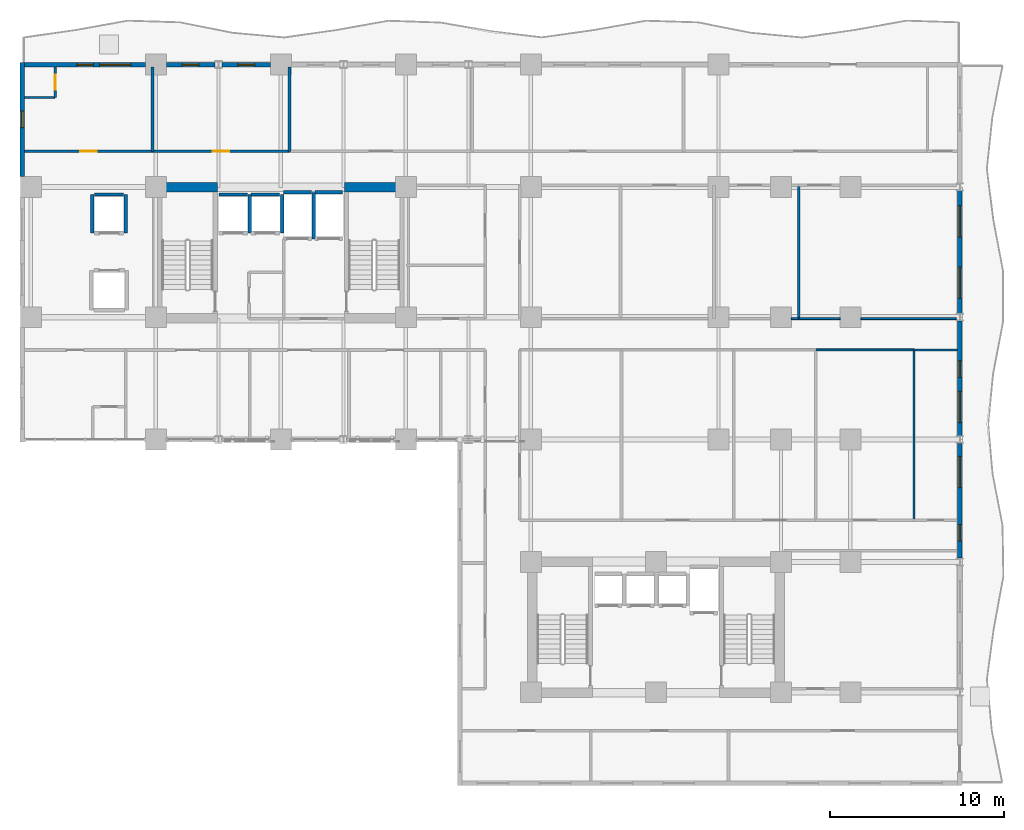
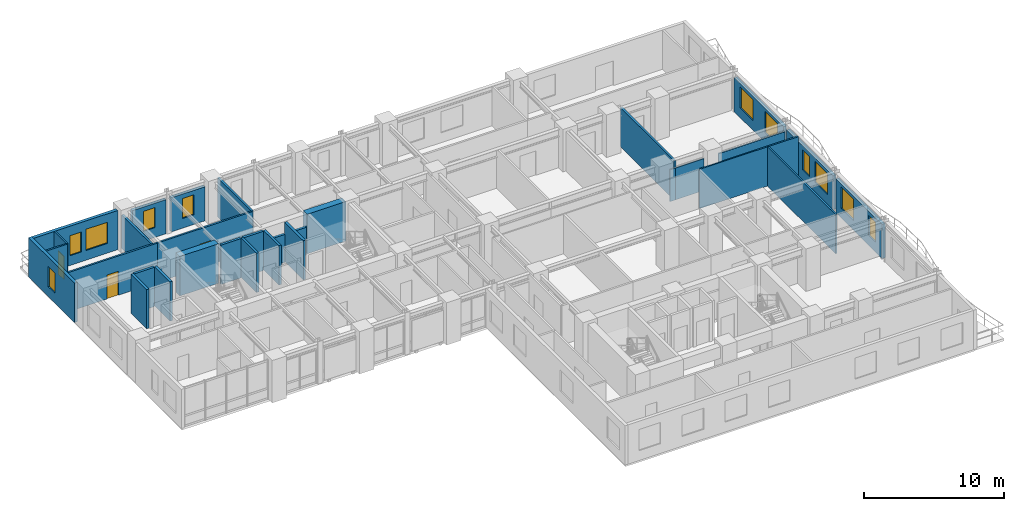
# One storey, part 11 of 16: 32 walls, 11 windows, 3 doors, 14 openings.
"""IFC4 building model written with IfcOpenShell, lengths in metres."""

from ifc_helpers import new_model, si_unit, direction, frame, frame_2d, origin, place, context, subcontext, project, spatial, rectangle, extrude, material, layer, layer_set, type_object, element, fill, save


model = new_model("IFC4")

# Units and contexts
model_context = context("Model", 3, precision=1e-05, world=origin(), true_north=direction((0.0, 1.0)))
body_context = subcontext(model_context, "Body", "Model", "MODEL_VIEW")
ifc_project = project(units=[si_unit("LENGTHUNIT", "METRE"), si_unit("AREAUNIT", "SQUARE_METRE"), si_unit("VOLUMEUNIT", "CUBIC_METRE"), si_unit("PLANEANGLEUNIT", "RADIAN"), si_unit("MASSUNIT", "GRAM", prefix="KILO")], contexts=[model_context])

# Site, building, storey
site_placement = place(None, origin())
site = spatial("IfcSite", under=ifc_project, at=site_placement, CompositionType="ELEMENT")
building_placement = place(site_placement, origin())
building = spatial("IfcBuilding", under=site, at=building_placement, Name="Kaliganga Portal Commons", CompositionType="ELEMENT")
storey_placement = place(building_placement, frame((0.0, 0.0, 97.10009765625)))
storey = spatial("IfcBuildingStorey", under=building, at=storey_placement, Name="L24", CompositionType="ELEMENT", Elevation=97.10009765625)

# Walls
ifc_material_1 = material(Name="Concrete C60/75", Category="concrete")
ifc_layer_1 = layer(ifc_material_1, 0.550048828125)
ifc_layer_set_1 = layer_set([ifc_layer_1], Name="Concrete C60/75")
wall_type_1 = type_object("IfcWallType", Name="WL-CORE-550", PredefinedType="SHEAR", material=ifc_layer_set_1)
for number, where, z_axis, x_axis, name in (
    (1, (14.75, 36.125, 0.0), (0.0, 0.0, 1.0), (1.0, 0.0, 0.0), "Core A N-West Shear Wall L24"),
    (2, (25.25, 36.125, 0.0), (0.0, 0.0, 1.0), (1.0, 0.0, 0.0), "Core A N-East Shear Wall L24"),
):
    element("IfcWall", number, at=place(storey_placement, frame(where, z_axis=z_axis, x_axis=x_axis)), inside=storey, type_object=wall_type_1, Name=name, PredefinedType="SHEAR", context=body_context, shape_type="SweptSolid", body=[
        extrude(rectangle(XDim=3.199951171875, YDim=0.550048828125, at=frame_2d((1.60009765625, 0.0))), origin(), (0.0, 0.0, 1.0), 3.449951171875),
    ])

# Wall, openings, windows
ifc_material_2 = material(Name="Insulated Aluminium-Clad Spandrel Assembly", Category="aluminium")
ifc_layer_2 = layer(ifc_material_2, 0.260009765625)
ifc_layer_set_2 = layer_set([ifc_layer_2], Name="Insulated Aluminium-Clad Spandrel Assembly")
wall_type_2 = type_object("IfcWallType", Name="WL-EXT-SPAND-260", PredefinedType="STANDARD", material=ifc_layer_set_2)
wall_1_placement = place(storey_placement, frame((60.699951171875, 21.384033203125, 0.0), z_axis=(0.0, 0.0, 1.0), x_axis=(0.0, -1.0, 0.0)))
wall_1 = element("IfcWall", 3, at=wall_1_placement, inside=storey, type_object=wall_type_2, Name="Exterior Envelope Wall L24 P1-E01-S3", PredefinedType="STANDARD", context=body_context, shape_type="SweptSolid", body=[
    extrude(rectangle(XDim=6.617919921875, YDim=0.260009765625, at=frame_2d((3.30908203125, 0.0))), origin(), (0.0, 0.0, 1.0), 2.97998046875),
])
opening_1_placement = place(wall_1_placement, frame((0.75439453125, 0.0, 0.85009765625)))
opening_1 = element("IfcOpeningElement", 4, at=opening_1_placement, cuts=wall_1, Name="Opening W-01", PredefinedType="OPENING", context=body_context, shape_type="SweptSolid", body=[
    extrude(rectangle(XDim=1.800048828125, YDim=1.85009765625, at=frame_2d((0.89990234375, 0.925048828125))), frame((0.0, 0.14013671875, 0.0), z_axis=(0.0, -1.0, 0.0), x_axis=(1.0, 0.0, 0.0)), (0.0, 0.0, 1.0), 0.280029296875),
])
opening_2_placement = place(wall_1_placement, frame((4.68701171875, 0.0, 0.85009765625)))
opening_2 = element("IfcOpeningElement", 5, at=opening_2_placement, cuts=wall_1, Name="Opening W-04", PredefinedType="OPENING", context=body_context, shape_type="SweptSolid", body=[
    extrude(rectangle(XDim=0.949951171875, YDim=1.75, at=frame_2d((0.47509765625, 0.875))), frame((0.0, 0.14013671875, 0.0), z_axis=(0.0, -1.0, 0.0), x_axis=(1.0, 0.0, 0.0)), (0.0, 0.0, 1.0), 0.280029296875),
])
ifc_material_3 = material(Name="Thermally Broken Aluminium and Low-E Double Glazing", Category="aluminium")
window_type_1 = type_object("IfcWindowType", Name="WIN-NARROW-950", PartitioningType="SINGLE_PANEL", PredefinedType="WINDOW", material=ifc_material_3)
window_1_placement = place(opening_2_placement, origin())
window_1 = element("IfcWindow", 6, at=window_1_placement, inside=storey, type_object=window_type_1, Name="Facade Window L24-P1E01S3-N10", OverallHeight=1.75, OverallWidth=0.949951171875, PartitioningType="SINGLE_PANEL", PredefinedType="WINDOW", context=body_context, shape_type="SweptSolid", body=[
    extrude(rectangle(XDim=0.949951171875, YDim=1.75, at=frame_2d((0.47509765625, 0.875))), frame((0.0, 0.030029296875, 0.0), z_axis=(0.0, -1.0, 0.0), x_axis=(1.0, 0.0, 0.0)), (0.0, 0.0, 1.0), 0.06005859375),
])
fill(opening_2, window_1)
window_type_2 = type_object("IfcWindowType", Name="WIN-STD-1800", PartitioningType="DOUBLE_PANEL_VERTICAL", PredefinedType="WINDOW", material=ifc_material_3)
window_2_placement = place(opening_1_placement, origin())
window_2 = element("IfcWindow", 7, at=window_2_placement, inside=storey, type_object=window_type_2, Name="Facade Window L24-P1E01S3-00", OverallHeight=1.85009765625, OverallWidth=1.800048828125, PartitioningType="SINGLE_PANEL", PredefinedType="WINDOW", context=body_context, shape_type="SweptSolid", body=[
    extrude(rectangle(XDim=1.800048828125, YDim=1.85009765625, at=frame_2d((0.89990234375, 0.925048828125))), frame((0.0, 0.030029296875, 0.0), z_axis=(0.0, -1.0, 0.0), x_axis=(1.0, 0.0, 0.0)), (0.0, 0.0, 1.0), 0.06005859375),
])
fill(opening_1, window_2)

wall_2_placement = place(storey_placement, frame((60.699951171875, 28.43408203125, 0.0), z_axis=(0.0, 0.0, 1.0), x_axis=(0.0, -1.0, 0.0)))
wall_2 = element("IfcWall", 8, at=wall_2_placement, inside=storey, type_object=wall_type_2, Name="Exterior Envelope Wall L24 P1-E01-S4", PredefinedType="STANDARD", context=body_context, shape_type="SweptSolid", body=[
    extrude(rectangle(XDim=6.6181640625, YDim=0.260009765625, at=frame_2d((3.30908203125, 0.0))), origin(), (0.0, 0.0, 1.0), 2.97998046875),
])
opening_3_placement = place(wall_2_placement, frame((4.0634765625, 0.0, 0.85009765625)))
opening_3 = element("IfcOpeningElement", 9, at=opening_3_placement, cuts=wall_2, Name="Opening W-01", PredefinedType="OPENING", context=body_context, shape_type="SweptSolid", body=[
    extrude(rectangle(XDim=1.800048828125, YDim=1.85009765625, at=frame_2d((0.89990234375, 0.925048828125))), frame((0.0, 0.14013671875, 0.0), z_axis=(0.0, -1.0, 0.0), x_axis=(1.0, 0.0, 0.0)), (0.0, 0.0, 1.0), 0.280029296875),
])
opening_4_placement = place(wall_2_placement, frame((2.3046875, 0.0, 0.85009765625)))
opening_4 = element("IfcOpeningElement", 10, at=opening_4_placement, cuts=wall_2, Name="Opening W-04", PredefinedType="OPENING", context=body_context, shape_type="SweptSolid", body=[
    extrude(rectangle(XDim=0.949951171875, YDim=1.75, at=frame_2d((0.47509765625, 0.875))), frame((0.0, 0.14013671875, 0.0), z_axis=(0.0, -1.0, 0.0), x_axis=(1.0, 0.0, 0.0)), (0.0, 0.0, 1.0), 0.280029296875),
])
window_3_placement = place(opening_4_placement, origin())
window_3 = element("IfcWindow", 11, at=window_3_placement, inside=storey, type_object=window_type_1, Name="Facade Window L24-P1E01S4-N5", OverallHeight=1.75, OverallWidth=0.949951171875, PartitioningType="SINGLE_PANEL", PredefinedType="WINDOW", context=body_context, shape_type="SweptSolid", body=[
    extrude(rectangle(XDim=0.949951171875, YDim=1.75, at=frame_2d((0.47509765625, 0.875))), frame((0.0, 0.030029296875, 0.0), z_axis=(0.0, -1.0, 0.0), x_axis=(1.0, 0.0, 0.0)), (0.0, 0.0, 1.0), 0.06005859375),
])
fill(opening_4, window_3)
window_4_placement = place(opening_3_placement, origin())
window_4 = element("IfcWindow", 12, at=window_4_placement, inside=storey, type_object=window_type_2, Name="Facade Window L24-P1E01S4-01", OverallHeight=1.85009765625, OverallWidth=1.800048828125, PartitioningType="SINGLE_PANEL", PredefinedType="WINDOW", context=body_context, shape_type="SweptSolid", body=[
    extrude(rectangle(XDim=1.800048828125, YDim=1.85009765625, at=frame_2d((0.89990234375, 0.925048828125))), frame((0.0, 0.030029296875, 0.0), z_axis=(0.0, -1.0, 0.0), x_axis=(1.0, 0.0, 0.0)), (0.0, 0.0, 1.0), 0.06005859375),
])
fill(opening_3, window_4)

wall_3_placement = place(storey_placement, frame((60.699951171875, 35.93408203125, 0.0), z_axis=(0.0, 0.0, 1.0), x_axis=(0.0, -1.0, 0.0)))
wall_3 = element("IfcWall", 13, at=wall_3_placement, inside=storey, type_object=wall_type_2, Name="Exterior Envelope Wall L24 P1-E01-S5", PredefinedType="STANDARD", context=body_context, shape_type="SweptSolid", body=[
    extrude(rectangle(XDim=7.068115234375, YDim=0.260009765625, at=frame_2d((3.5341796875, 0.0))), origin(), (0.0, 0.0, 1.0), 2.97998046875),
])
opening_5_placement = place(wall_3_placement, frame((0.866943359375, 0.0, 0.85009765625)))
opening_5 = element("IfcOpeningElement", 14, at=opening_5_placement, cuts=wall_3, Name="Opening W-01", PredefinedType="OPENING", context=body_context, shape_type="SweptSolid", body=[
    extrude(rectangle(XDim=1.800048828125, YDim=1.85009765625, at=frame_2d((0.89990234375, 0.925048828125))), frame((0.0, 0.14013671875, 0.0), z_axis=(0.0, -1.0, 0.0), x_axis=(1.0, 0.0, 0.0)), (0.0, 0.0, 1.0), 0.280029296875),
])
opening_6_placement = place(wall_3_placement, frame((4.40087890625, 0.0, 0.85009765625)))
opening_6 = element("IfcOpeningElement", 15, at=opening_6_placement, cuts=wall_3, Name="Opening W-01", PredefinedType="OPENING", context=body_context, shape_type="SweptSolid", body=[
    extrude(rectangle(XDim=1.800048828125, YDim=1.85009765625, at=frame_2d((0.89990234375, 0.925048828125))), frame((0.0, 0.14013671875, 0.0), z_axis=(0.0, -1.0, 0.0), x_axis=(1.0, 0.0, 0.0)), (0.0, 0.0, 1.0), 0.280029296875),
])
window_5_placement = place(opening_5_placement, origin())
window_5 = element("IfcWindow", 16, at=window_5_placement, inside=storey, type_object=window_type_2, Name="Facade Window L24-P1E01S5-00", OverallHeight=1.85009765625, OverallWidth=1.800048828125, PartitioningType="SINGLE_PANEL", PredefinedType="WINDOW", context=body_context, shape_type="SweptSolid", body=[
    extrude(rectangle(XDim=1.800048828125, YDim=1.85009765625, at=frame_2d((0.89990234375, 0.925048828125))), frame((0.0, 0.030029296875, 0.0), z_axis=(0.0, -1.0, 0.0), x_axis=(1.0, 0.0, 0.0)), (0.0, 0.0, 1.0), 0.06005859375),
])
fill(opening_5, window_5)
window_6_placement = place(opening_6_placement, origin())
window_6 = element("IfcWindow", 17, at=window_6_placement, inside=storey, type_object=window_type_2, Name="Facade Window L24-P1E01S5-01", OverallHeight=1.85009765625, OverallWidth=1.800048828125, PartitioningType="SINGLE_PANEL", PredefinedType="WINDOW", context=body_context, shape_type="SweptSolid", body=[
    extrude(rectangle(XDim=1.800048828125, YDim=1.85009765625, at=frame_2d((0.89990234375, 0.925048828125))), frame((0.0, 0.030029296875, 0.0), z_axis=(0.0, -1.0, 0.0), x_axis=(1.0, 0.0, 0.0)), (0.0, 0.0, 1.0), 0.06005859375),
])
fill(opening_6, window_6)

# Wall, opening, window
wall_4_placement = place(storey_placement, frame((18.20556640625, 43.199951171875, 0.0), z_axis=(0.0, 0.0, 1.0), x_axis=(1.0, 0.0, 0.0)))
wall_4 = element("IfcWall", 18, at=wall_4_placement, inside=storey, type_object=wall_type_2, Name="Exterior Envelope Wall L24 P1-E02-S7", PredefinedType="STANDARD", context=body_context, shape_type="SweptSolid", body=[
    extrude(rectangle(XDim=2.79345703125, YDim=0.260009765625, at=frame_2d((1.396728515625, 0.0))), origin(), (0.0, 0.0, 1.0), 2.97998046875),
])
opening_7_placement = place(wall_4_placement, frame((0.921630859375, 0.0, 0.85009765625)))
opening_7 = element("IfcOpeningElement", 19, at=opening_7_placement, cuts=wall_4, Name="Opening W-04", PredefinedType="OPENING", context=body_context, shape_type="SweptSolid", body=[
    extrude(rectangle(XDim=0.949951171875, YDim=1.75, at=frame_2d((0.47509765625, 0.875))), frame((0.0, 0.14013671875, 0.0), z_axis=(0.0, -1.0, 0.0), x_axis=(1.0, 0.0, 0.0)), (0.0, 0.0, 1.0), 0.280029296875),
])
window_7_placement = place(opening_7_placement, origin())
window_7 = element("IfcWindow", 20, at=window_7_placement, inside=storey, type_object=window_type_1, Name="Facade Window L24-P1E02S7-00", OverallHeight=1.75, OverallWidth=0.949951171875, PartitioningType="SINGLE_PANEL", PredefinedType="WINDOW", context=body_context, shape_type="SweptSolid", body=[
    extrude(rectangle(XDim=0.949951171875, YDim=1.75, at=frame_2d((0.47509765625, 0.875))), frame((0.0, 0.030029296875, 0.0), z_axis=(0.0, -1.0, 0.0), x_axis=(1.0, 0.0, 0.0)), (0.0, 0.0, 1.0), 0.06005859375),
])
fill(opening_7, window_7)

wall_5_placement = place(storey_placement, frame((15.0009765625, 43.199951171875, 0.0), z_axis=(0.0, 0.0, 1.0), x_axis=(1.0, 0.0, 0.0)))
wall_5 = element("IfcWall", 21, at=wall_5_placement, inside=storey, type_object=wall_type_2, Name="Exterior Envelope Wall L24 P1-E02-S8", PredefinedType="STANDARD", context=body_context, shape_type="SweptSolid", body=[
    extrude(rectangle(XDim=2.79345703125, YDim=0.260009765625, at=frame_2d((1.396728515625, 0.0))), origin(), (0.0, 0.0, 1.0), 2.97998046875),
])
opening_8_placement = place(wall_5_placement, frame((0.921630859375, 0.0, 0.85009765625)))
opening_8 = element("IfcOpeningElement", 22, at=opening_8_placement, cuts=wall_5, Name="Opening W-04", PredefinedType="OPENING", context=body_context, shape_type="SweptSolid", body=[
    extrude(rectangle(XDim=0.949951171875, YDim=1.75, at=frame_2d((0.47509765625, 0.875))), frame((0.0, 0.14013671875, 0.0), z_axis=(0.0, -1.0, 0.0), x_axis=(1.0, 0.0, 0.0)), (0.0, 0.0, 1.0), 0.280029296875),
])
window_8_placement = place(opening_8_placement, origin())
window_8 = element("IfcWindow", 23, at=window_8_placement, inside=storey, type_object=window_type_1, Name="Facade Window L24-P1E02S8-00", OverallHeight=1.75, OverallWidth=0.949951171875, PartitioningType="SINGLE_PANEL", PredefinedType="WINDOW", context=body_context, shape_type="SweptSolid", body=[
    extrude(rectangle(XDim=0.949951171875, YDim=1.75, at=frame_2d((0.47509765625, 0.875))), frame((0.0, 0.030029296875, 0.0), z_axis=(0.0, -1.0, 0.0), x_axis=(1.0, 0.0, 0.0)), (0.0, 0.0, 1.0), 0.06005859375),
])
fill(opening_8, window_8)

# Wall, openings, windows
wall_6_placement = place(storey_placement, frame((6.8349609375, 43.199951171875, 0.0), z_axis=(0.0, 0.0, 1.0), x_axis=(1.0, 0.0, 0.0)))
wall_6 = element("IfcWall", 24, at=wall_6_placement, inside=storey, type_object=wall_type_2, Name="Exterior Envelope Wall L24 P1-E02-S9", PredefinedType="STANDARD", context=body_context, shape_type="SweptSolid", body=[
    extrude(rectangle(XDim=6.964111328125, YDim=0.260009765625, at=frame_2d((3.48193359375, 0.0))), origin(), (0.0, 0.0, 1.0), 3.429931640625),
])
opening_9_placement = place(wall_6_placement, frame((4.322998046875, 0.0, 0.85009765625)))
opening_9 = element("IfcOpeningElement", 25, at=opening_9_placement, cuts=wall_6, Name="Opening W-01", PredefinedType="OPENING", context=body_context, shape_type="SweptSolid", body=[
    extrude(rectangle(XDim=1.800048828125, YDim=1.85009765625, at=frame_2d((0.89990234375, 0.925048828125))), frame((0.0, 0.14013671875, 0.0), z_axis=(0.0, -1.0, 0.0), x_axis=(1.0, 0.0, 0.0)), (0.0, 0.0, 1.0), 0.280029296875),
])
opening_10_placement = place(wall_6_placement, frame((3.007080078125, 0.0, 0.85009765625)))
opening_10 = element("IfcOpeningElement", 26, at=opening_10_placement, cuts=wall_6, Name="Opening W-04", PredefinedType="OPENING", context=body_context, shape_type="SweptSolid", body=[
    extrude(rectangle(XDim=0.949951171875, YDim=1.75, at=frame_2d((0.47509765625, 0.875))), frame((0.0, 0.14013671875, 0.0), z_axis=(0.0, -1.0, 0.0), x_axis=(1.0, 0.0, 0.0)), (0.0, 0.0, 1.0), 0.280029296875),
])
window_9_placement = place(opening_10_placement, origin())
window_9 = element("IfcWindow", 27, at=window_9_placement, inside=storey, type_object=window_type_1, Name="Facade Window L24-P1E02S9-N0", OverallHeight=1.75, OverallWidth=0.949951171875, PartitioningType="SINGLE_PANEL", PredefinedType="WINDOW", context=body_context, shape_type="SweptSolid", body=[
    extrude(rectangle(XDim=0.949951171875, YDim=1.75, at=frame_2d((0.47509765625, 0.875))), frame((0.0, 0.030029296875, 0.0), z_axis=(0.0, -1.0, 0.0), x_axis=(1.0, 0.0, 0.0)), (0.0, 0.0, 1.0), 0.06005859375),
])
fill(opening_10, window_9)
window_10_placement = place(opening_9_placement, origin())
window_10 = element("IfcWindow", 28, at=window_10_placement, inside=storey, type_object=window_type_2, Name="Facade Window L24-P1E02S9-01", OverallHeight=1.85009765625, OverallWidth=1.800048828125, PartitioningType="SINGLE_PANEL", PredefinedType="WINDOW", context=body_context, shape_type="SweptSolid", body=[
    extrude(rectangle(XDim=1.800048828125, YDim=1.85009765625, at=frame_2d((0.89990234375, 0.925048828125))), frame((0.0, 0.030029296875, 0.0), z_axis=(0.0, -1.0, 0.0), x_axis=(1.0, 0.0, 0.0)), (0.0, 0.0, 1.0), 0.06005859375),
])
fill(opening_9, window_10)

# Wall, opening, window
wall_7_placement = place(storey_placement, frame((6.699951171875, 36.7509765625, 0.0), z_axis=(0.0, 0.0, 1.0), x_axis=(0.0, 1.0, 0.0)))
wall_7 = element("IfcWall", 29, at=wall_7_placement, inside=storey, type_object=wall_type_2, Name="Exterior Envelope Wall L24 P1-E03-S1", PredefinedType="STANDARD", context=body_context, shape_type="SweptSolid", body=[
    extrude(rectangle(XDim=6.5791015625, YDim=0.260009765625, at=frame_2d((3.28955078125, 0.0))), origin(), (0.0, 0.0, 1.0), 3.429931640625),
])
opening_11_placement = place(wall_7_placement, frame((2.814453125, 0.0, 0.85009765625)))
opening_11 = element("IfcOpeningElement", 30, at=opening_11_placement, cuts=wall_7, Name="Opening W-04", PredefinedType="OPENING", context=body_context, shape_type="SweptSolid", body=[
    extrude(rectangle(XDim=0.949951171875, YDim=1.75, at=frame_2d((0.47509765625, 0.875))), frame((0.0, 0.14013671875, 0.0), z_axis=(0.0, -1.0, 0.0), x_axis=(1.0, 0.0, 0.0)), (0.0, 0.0, 1.0), 0.280029296875),
])
window_11_placement = place(opening_11_placement, origin())
window_11 = element("IfcWindow", 31, at=window_11_placement, inside=storey, type_object=window_type_1, Name="Facade Window L24-P1E03S1-N0", OverallHeight=1.75, OverallWidth=0.949951171875, PartitioningType="SINGLE_PANEL", PredefinedType="WINDOW", context=body_context, shape_type="SweptSolid", body=[
    extrude(rectangle(XDim=0.949951171875, YDim=1.75, at=frame_2d((0.47509765625, 0.875))), frame((0.0, 0.030029296875, 0.0), z_axis=(0.0, -1.0, 0.0), x_axis=(1.0, 0.0, 0.0)), (0.0, 0.0, 1.0), 0.06005859375),
])
fill(opening_11, window_11)

# Wall, opening, door
ifc_material_4 = material(Name="Fire-Rated Gypsum Board on Steel Stud", Category="steel")
ifc_layer_3 = layer(ifc_material_4, 0.14990234375)
ifc_layer_set_3 = layer_set([ifc_layer_3], Name="Fire-Rated Gypsum Board on Steel Stud")
wall_type_3 = type_object("IfcWallType", Name="WL-PART-CORR-150", PredefinedType="PARTITIONING", material=ifc_layer_set_3)
wall_8_placement = place(storey_placement, frame((14.199951171875, 38.199951171875, 0.0), z_axis=(0.0, 0.0, 1.0), x_axis=(1.0, 0.0, 0.0)))
wall_8 = element("IfcWall", 32, at=wall_8_placement, inside=storey, type_object=wall_type_3, Name="Interior Partition L24-017", PredefinedType="PARTITIONING", context=body_context, shape_type="SweptSolid", body=[
    extrude(rectangle(XDim=7.900146484375, YDim=0.14990234375, at=frame_2d((3.9501953125, 0.0))), origin(), (0.0, 0.0, 1.0), 3.429931640625),
])
opening_12_placement = place(wall_8_placement, frame((3.47509765625, 0.0, 0.0)))
opening_12 = element("IfcOpeningElement", 33, at=opening_12_placement, cuts=wall_8, Name="Opening UD-01", PredefinedType="OPENING", context=body_context, shape_type="SweptSolid", body=[
    extrude(rectangle(XDim=0.949951171875, YDim=2.10009765625, at=frame_2d((0.47509765625, 1.050048828125))), frame((0.0, 0.0849609375, 0.0), z_axis=(0.0, -1.0, 0.0), x_axis=(1.0, 0.0, 0.0)), (0.0, 0.0, 1.0), 0.169921875),
])
ifc_material_5 = material(Name="Solid-Core Timber Acoustic Fire Door", Category="wood")
door_type_1 = type_object("IfcDoorType", Name="DR-UNIT-950", OperationType="NOTDEFINED", PredefinedType="DOOR", material=ifc_material_5)
door_1_placement = place(opening_12_placement, origin())
door_1 = element("IfcDoor", 34, at=door_1_placement, inside=storey, type_object=door_type_1, Name="Interior Door L24-AN02", OperationType="SINGLE_SWING_LEFT", OverallHeight=2.10009765625, OverallWidth=0.949951171875, PredefinedType="DOOR", context=body_context, shape_type="SweptSolid", body=[
    extrude(rectangle(XDim=0.949951171875, YDim=2.10009765625, at=frame_2d((0.47509765625, 1.050048828125))), frame((0.0, 0.02490234375, 0.0), z_axis=(0.0, -1.0, 0.0), x_axis=(1.0, 0.0, 0.0)), (0.0, 0.0, 1.0), 0.050048828125),
])
fill(opening_12, door_1)

wall_9_placement = place(storey_placement, frame((6.83203125, 38.199951171875, 0.0), z_axis=(0.0, 0.0, 1.0), x_axis=(1.0, 0.0, 0.0)))
wall_9 = element("IfcWall", 35, at=wall_9_placement, inside=storey, type_object=wall_type_3, Name="Interior Partition L24-020", PredefinedType="PARTITIONING", context=body_context, shape_type="SweptSolid", body=[
    extrude(rectangle(XDim=7.367919921875, YDim=0.14990234375, at=frame_2d((3.68408203125, 0.0))), origin(), (0.0, 0.0, 1.0), 3.429931640625),
])
opening_13_placement = place(wall_9_placement, frame((3.208984375, 0.0, 0.0)))
opening_13 = element("IfcOpeningElement", 36, at=opening_13_placement, cuts=wall_9, Name="Opening UD-01", PredefinedType="OPENING", context=body_context, shape_type="SweptSolid", body=[
    extrude(rectangle(XDim=0.949951171875, YDim=2.10009765625, at=frame_2d((0.47509765625, 1.050048828125))), frame((0.0, 0.0849609375, 0.0), z_axis=(0.0, -1.0, 0.0), x_axis=(1.0, 0.0, 0.0)), (0.0, 0.0, 1.0), 0.169921875),
])
door_2_placement = place(opening_13_placement, origin())
door_2 = element("IfcDoor", 37, at=door_2_placement, inside=storey, type_object=door_type_1, Name="Interior Door L24-AN01", OperationType="SINGLE_SWING_RIGHT", OverallHeight=2.10009765625, OverallWidth=0.949951171875, PredefinedType="DOOR", context=body_context, shape_type="SweptSolid", body=[
    extrude(rectangle(XDim=0.949951171875, YDim=2.10009765625, at=frame_2d((0.47509765625, 1.050048828125))), frame((0.0, 0.02490234375, 0.0), z_axis=(0.0, -1.0, 0.0), x_axis=(1.0, 0.0, 0.0)), (0.0, 0.0, 1.0), 0.050048828125),
])
fill(opening_13, door_2)

# Walls
ifc_material_6 = material(Name="Moisture-Resistant Gypsum Partition", Category="gypsum")
ifc_layer_4 = layer(ifc_material_6, 0.114990234375)
ifc_layer_set_4 = layer_set([ifc_layer_4], Name="Moisture-Resistant Gypsum Partition")
wall_type_4 = type_object("IfcWallType", Name="WL-PART-ROOM-115", PredefinedType="PARTITIONING", material=ifc_layer_set_4)
wall_10_placement = place(storey_placement, frame((51.419921875, 28.56005859375, 0.0), z_axis=(0.0, 0.0, 1.0), x_axis=(1.0, 0.0, 0.0)))
element("IfcWall", 38, at=wall_10_placement, inside=storey, type_object=wall_type_4, Name="Interior Partition L24-052", PredefinedType="PARTITIONING", context=body_context, shape_type="SweptSolid", body=[
    extrude(rectangle(XDim=2.380126953125, YDim=0.114990234375, at=frame_2d((1.18994140625, 0.0))), origin(), (0.0, 0.0, 1.0), 2.77978515625),
])
wall_11_placement = place(storey_placement, frame((55.0, 28.56005859375, 0.0), z_axis=(0.0, 0.0, 1.0), x_axis=(1.0, 0.0, 0.0)))
element("IfcWall", 39, at=wall_11_placement, inside=storey, type_object=wall_type_4, Name="Interior Partition L24-053", PredefinedType="PARTITIONING", context=body_context, shape_type="SweptSolid", body=[
    extrude(rectangle(XDim=5.49560546875, YDim=0.114990234375, at=frame_2d((2.747802734375, 0.0))), origin(), (0.0, 0.0, 1.0), 2.77978515625),
])
wall_12_placement = place(storey_placement, frame((52.39990234375, 26.760009765625, 0.0), z_axis=(0.0, 0.0, 1.0), x_axis=(1.0, 0.0, 0.0)))
element("IfcWall", 40, at=wall_12_placement, inside=storey, type_object=wall_type_4, Name="Interior Partition L24-060", PredefinedType="PARTITIONING", context=body_context, shape_type="SweptSolid", body=[
    extrude(rectangle(XDim=5.66015625, YDim=0.114990234375, at=frame_2d((2.830078125, 0.0))), origin(), (0.0, 0.0, 1.0), 3.429931640625),
])
wall_13_placement = place(storey_placement, frame((51.0, 28.56005859375, 0.0), z_axis=(0.0, 0.0, 1.0), x_axis=(1.0, 0.0, 0.0)))
element("IfcWall", 41, at=wall_13_placement, inside=storey, type_object=wall_type_4, Name="Interior Partition L24-071", PredefinedType="PARTITIONING", context=body_context, shape_type="SweptSolid", body=[
    extrude(rectangle(XDim=0.419921875, YDim=0.114990234375, at=frame_2d((0.2099609375, 0.0))), origin(), (0.0, 0.0, 1.0), 2.77978515625),
])
ifc_material_7 = material(Name="Twin-Stud Acoustic Gypsum Partition", Category="gypsum")
ifc_layer_5 = layer(ifc_material_7, 0.1650390625)
ifc_layer_set_5 = layer_set([ifc_layer_5], Name="Twin-Stud Acoustic Gypsum Partition")
wall_type_5 = type_object("IfcWallType", Name="WL-PART-UNIT-165", PredefinedType="PARTITIONING", material=ifc_layer_set_5)
wall_14_placement = place(storey_placement, frame((51.419921875, 28.56005859375, 0.0), z_axis=(0.0, 0.0, 1.0), x_axis=(0.0, 1.0, 0.0)))
element("IfcWall", 42, at=wall_14_placement, inside=storey, type_object=wall_type_5, Name="Interior Partition L24-056", PredefinedType="PARTITIONING", context=body_context, shape_type="SweptSolid", body=[
    extrude(rectangle(XDim=7.679931640625, YDim=0.1650390625, at=frame_2d((3.83984375, 0.0))), origin(), (0.0, 0.0, 1.0), 3.429931640625),
])
wall_15_placement = place(storey_placement, frame((14.199951171875, 38.199951171875, 0.0), z_axis=(0.0, 0.0, 1.0), x_axis=(0.0, 1.0, 0.0)))
element("IfcWall", 43, at=wall_15_placement, inside=storey, type_object=wall_type_5, Name="Interior Partition L24-065", PredefinedType="PARTITIONING", context=body_context, shape_type="SweptSolid", body=[
    extrude(rectangle(XDim=4.8681640625, YDim=0.1650390625, at=frame_2d((2.43408203125, 0.0))), origin(), (0.0, 0.0, 1.0), 2.929931640625),
])
wall_16_placement = place(storey_placement, frame((22.10009765625, 38.199951171875, 0.0), z_axis=(0.0, 0.0, 1.0), x_axis=(0.0, 1.0, 0.0)))
element("IfcWall", 44, at=wall_16_placement, inside=storey, type_object=wall_type_5, Name="Interior Partition L24-066", PredefinedType="PARTITIONING", context=body_context, shape_type="SweptSolid", body=[
    extrude(rectangle(XDim=4.8681640625, YDim=0.1650390625, at=frame_2d((2.43408203125, 0.0))), origin(), (0.0, 0.0, 1.0), 3.429931640625),
])

# Wall, opening, door
ifc_material_8 = material(Name="Cement-Board Wet-Room Partition", Category="gypsum")
ifc_layer_6 = layer(ifc_material_8, 0.135009765625)
ifc_layer_set_6 = layer_set([ifc_layer_6], Name="Cement-Board Wet-Room Partition")
wall_type_6 = type_object("IfcWallType", Name="WL-PART-WET-135", PredefinedType="PARTITIONING", material=ifc_layer_set_6)
wall_17_placement = place(storey_placement, frame((8.60009765625, 41.300048828125, 0.0), z_axis=(0.0, 0.0, 1.0), x_axis=(0.0, 1.0, 0.0)))
wall_17 = element("IfcWall", 45, at=wall_17_placement, inside=storey, type_object=wall_type_6, Name="Interior Partition L24-001", PredefinedType="PARTITIONING", context=body_context, shape_type="SweptSolid", body=[
    extrude(rectangle(XDim=1.76806640625, YDim=0.135009765625, at=frame_2d((0.884033203125, 0.0))), origin(), (0.0, 0.0, 1.0), 3.429931640625),
])
opening_14_placement = place(wall_17_placement, frame((0.458984375, 0.0, 0.0)))
opening_14 = element("IfcOpeningElement", 46, at=opening_14_placement, cuts=wall_17, Name="Opening WD-01", PredefinedType="OPENING", context=body_context, shape_type="SweptSolid", body=[
    extrude(rectangle(XDim=0.85009765625, YDim=2.0400390625, at=frame_2d((0.425048828125, 1.02001953125))), frame((0.0, 0.07763671875, 0.0), z_axis=(0.0, -1.0, 0.0), x_axis=(1.0, 0.0, 0.0)), (0.0, 0.0, 1.0), 0.155029296875),
])
ifc_material_9 = material(Name="Moisture-Resistant Laminate Timber Door", Category="wood")
door_type_2 = type_object("IfcDoorType", Name="DR-WET-850", OperationType="NOTDEFINED", PredefinedType="DOOR", material=ifc_material_9)
door_3_placement = place(opening_14_placement, origin())
door_3 = element("IfcDoor", 47, at=door_3_placement, inside=storey, type_object=door_type_2, Name="Interior Door L24-AN01E", OperationType="SINGLE_SWING_LEFT", OverallHeight=2.0400390625, OverallWidth=0.85009765625, PredefinedType="DOOR", context=body_context, shape_type="SweptSolid", body=[
    extrude(rectangle(XDim=0.85009765625, YDim=2.0400390625, at=frame_2d((0.425048828125, 1.02001953125))), frame((0.0, 0.02490234375, 0.0), z_axis=(0.0, -1.0, 0.0), x_axis=(1.0, 0.0, 0.0)), (0.0, 0.0, 1.0), 0.050048828125),
])
fill(opening_14, door_3)

# Walls
wall_18_placement = place(storey_placement, frame((6.83203125, 41.300048828125, 0.0), z_axis=(0.0, 0.0, 1.0), x_axis=(1.0, 0.0, 0.0)))
element("IfcWall", 48, at=wall_18_placement, inside=storey, type_object=wall_type_6, Name="Interior Partition L24-003", PredefinedType="PARTITIONING", context=body_context, shape_type="SweptSolid", body=[
    extrude(rectangle(XDim=1.76806640625, YDim=0.135009765625, at=frame_2d((0.884033203125, 0.0))), origin(), (0.0, 0.0, 1.0), 3.429931640625),
])
wall_19_placement = place(storey_placement, frame((58.06005859375, 16.9599609375, 0.0), z_axis=(0.0, 0.0, 1.0), x_axis=(0.0, 1.0, 0.0)))
element("IfcWall", 49, at=wall_19_placement, inside=storey, type_object=wall_type_6, Name="Interior Partition L24-051", PredefinedType="PARTITIONING", context=body_context, shape_type="SweptSolid", body=[
    extrude(rectangle(XDim=9.800048828125, YDim=0.135009765625, at=frame_2d((4.89990234375, 0.0))), origin(), (0.0, 0.0, 1.0), 3.429931640625),
])
wall_20_placement = place(storey_placement, frame((58.06005859375, 26.760009765625, 0.0), z_axis=(0.0, 0.0, 1.0), x_axis=(1.0, 0.0, 0.0)))
element("IfcWall", 50, at=wall_20_placement, inside=storey, type_object=wall_type_6, Name="Interior Partition L24-078", PredefinedType="PARTITIONING", context=body_context, shape_type="SweptSolid", body=[
    extrude(rectangle(XDim=2.508056640625, YDim=0.135009765625, at=frame_2d((1.25390625, 0.0))), origin(), (0.0, 0.0, 1.0), 3.429931640625),
])
ifc_material_10 = material(Name="Fire-Rated Shaftwall Masonry Assembly", Category="masonry")
ifc_layer_7 = layer(ifc_material_10, 0.199951171875)
ifc_layer_set_7 = layer_set([ifc_layer_7], Name="Fire-Rated Shaftwall Masonry Assembly")
wall_type_7 = type_object("IfcWallType", Name="WL-SHAFT-200", PredefinedType="PARTITIONING", material=ifc_layer_set_7)
wall_21_placement = place(storey_placement, frame((18.02490234375, 35.715087890625, 0.0), z_axis=(0.0, 0.0, 1.0), x_axis=(1.0, 0.0, 0.0)))
element("IfcWall", 51, at=wall_21_placement, inside=storey, type_object=wall_type_7, Name="Lift PL-A1 Hoistway Shaft Wall L24-N", PredefinedType="PARTITIONING", context=body_context, shape_type="SweptSolid", body=[
    extrude(rectangle(XDim=1.650146484375, YDim=0.199951171875, at=frame_2d((0.8251953125, 0.0))), origin(), (0.0, 0.0, 1.0), 3.429931640625),
])
wall_22_placement = place(storey_placement, frame((19.81494140625, 33.485107421875, 0.0), z_axis=(0.0, 0.0, 1.0), x_axis=(0.0, 1.0, 0.0)))
element("IfcWall", 52, at=wall_22_placement, inside=storey, type_object=wall_type_7, Name="Lift PL-A1 Hoistway Shaft Wall L24-E", PredefinedType="PARTITIONING", context=body_context, shape_type="SweptSolid", body=[
    extrude(rectangle(XDim=2.22998046875, YDim=0.199951171875, at=frame_2d((1.114990234375, 0.0))), origin(), (0.0, 0.0, 1.0), 3.429931640625),
])
wall_23_placement = place(storey_placement, frame((19.875, 35.715087890625, 0.0), z_axis=(0.0, 0.0, 1.0), x_axis=(1.0, 0.0, 0.0)))
element("IfcWall", 53, at=wall_23_placement, inside=storey, type_object=wall_type_7, Name="Lift PL-A2 Hoistway Shaft Wall L24-N", PredefinedType="PARTITIONING", context=body_context, shape_type="SweptSolid", body=[
    extrude(rectangle(XDim=1.64990234375, YDim=0.199951171875, at=frame_2d((0.824951171875, 0.0))), origin(), (0.0, 0.0, 1.0), 3.429931640625),
])
wall_24_placement = place(storey_placement, frame((21.6650390625, 33.485107421875, 0.0), z_axis=(0.0, 0.0, 1.0), x_axis=(0.0, 1.0, 0.0)))
element("IfcWall", 54, at=wall_24_placement, inside=storey, type_object=wall_type_7, Name="Lift PL-A2 Hoistway Shaft Wall L24-E", PredefinedType="PARTITIONING", context=body_context, shape_type="SweptSolid", body=[
    extrude(rectangle(XDim=2.22998046875, YDim=0.199951171875, at=frame_2d((1.114990234375, 0.0))), origin(), (0.0, 0.0, 1.0), 3.429931640625),
])
wall_25_placement = place(storey_placement, frame((10.875, 35.715087890625, 0.0), z_axis=(0.0, 0.0, 1.0), x_axis=(1.0, 0.0, 0.0)))
element("IfcWall", 55, at=wall_25_placement, inside=storey, type_object=wall_type_7, Name="Lift PL-OBS Hoistway Shaft Wall L24-N", PredefinedType="PARTITIONING", context=body_context, shape_type="SweptSolid", body=[
    extrude(rectangle(XDim=1.64990234375, YDim=0.199951171875, at=frame_2d((0.824951171875, 0.0))), origin(), (0.0, 0.0, 1.0), 3.429931640625),
])
for number, where, z_axis, x_axis, name in (
    (56, (10.735107421875, 33.485107421875, 0.0), (0.0, 0.0, 1.0), (0.0, 1.0, 0.0), "Lift PL-OBS Hoistway Shaft Wall L24-W"),
    (57, (12.6650390625, 33.485107421875, 0.0), (0.0, 0.0, 1.0), (0.0, 1.0, 0.0), "Lift PL-OBS Hoistway Shaft Wall L24-E"),
):
    element("IfcWall", number, at=place(storey_placement, frame(where, z_axis=z_axis, x_axis=x_axis)), inside=storey, type_object=wall_type_7, Name=name, PredefinedType="PARTITIONING", context=body_context, shape_type="SweptSolid", body=[
        extrude(rectangle(XDim=2.22998046875, YDim=0.199951171875, at=frame_2d((1.114990234375, 0.0))), origin(), (0.0, 0.0, 1.0), 3.429931640625),
    ])
wall_26_placement = place(storey_placement, frame((21.75, 35.840087890625, 0.0), z_axis=(0.0, 0.0, 1.0), x_axis=(1.0, 0.0, 0.0)))
element("IfcWall", 58, at=wall_26_placement, inside=storey, type_object=wall_type_7, Name="Lift FFL-1 Hoistway Shaft Wall L24-N", PredefinedType="PARTITIONING", context=body_context, shape_type="SweptSolid", body=[
    extrude(rectangle(XDim=1.60009765625, YDim=0.199951171875, at=frame_2d((0.800048828125, 0.0))), origin(), (0.0, 0.0, 1.0), 2.429931640625),
])
wall_27_placement = place(storey_placement, frame((23.489990234375, 33.159912109375, 0.0), z_axis=(0.0, 0.0, 1.0), x_axis=(0.0, 1.0, 0.0)))
element("IfcWall", 59, at=wall_27_placement, inside=storey, type_object=wall_type_7, Name="Lift FFL-1 Hoistway Shaft Wall L24-E", PredefinedType="PARTITIONING", context=body_context, shape_type="SweptSolid", body=[
    extrude(rectangle(XDim=2.68017578125, YDim=0.199951171875, at=frame_2d((1.340087890625, 0.0))), origin(), (0.0, 0.0, 1.0), 3.429931640625),
])
wall_28_placement = place(storey_placement, frame((23.550048828125, 35.840087890625, 0.0), z_axis=(0.0, 0.0, 1.0), x_axis=(1.0, 0.0, 0.0)))
element("IfcWall", 60, at=wall_28_placement, inside=storey, type_object=wall_type_7, Name="Lift FFL-2 Hoistway Shaft Wall L24-N", PredefinedType="PARTITIONING", context=body_context, shape_type="SweptSolid", body=[
    extrude(rectangle(XDim=1.599853515625, YDim=0.199951171875, at=frame_2d((0.7998046875, 0.0))), origin(), (0.0, 0.0, 1.0), 2.429931640625),
])

save(model, "model.ifc")
